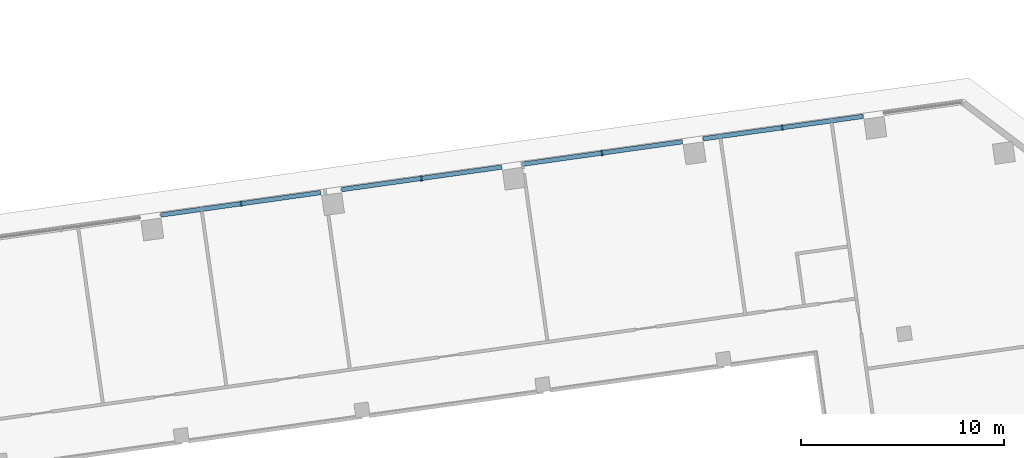
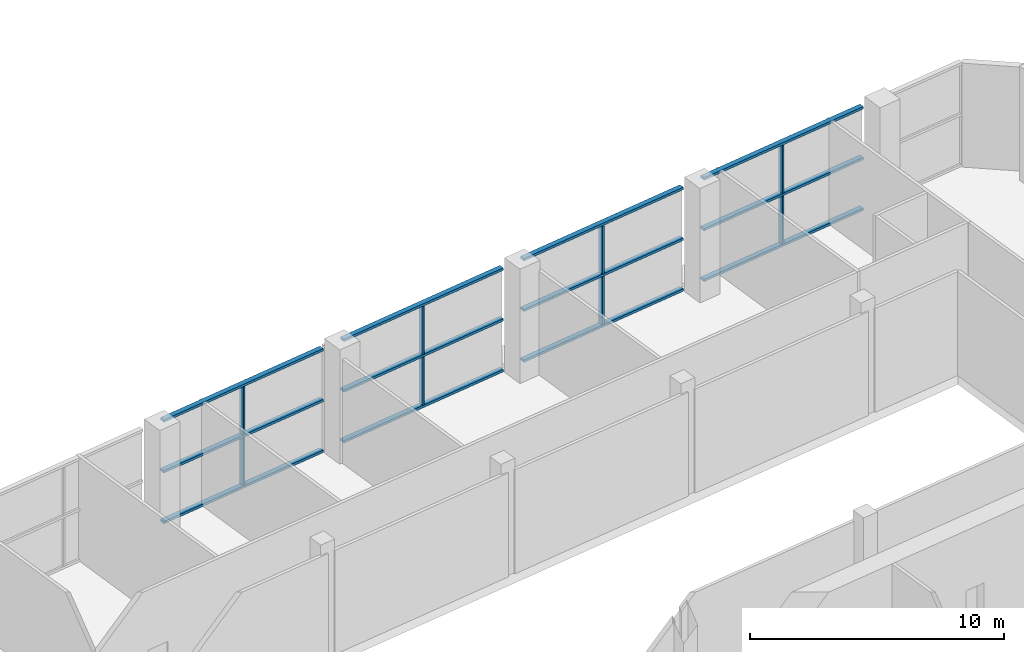
# One storey, part 6 of 23: 20 members, 1 element without a shape of its own.
"""IFC4 building model written with IfcOpenShell, lengths in metres."""

from ifc_helpers import new_model, si_unit, direction, frame, origin, origin_2d, place, context, subcontext, project, spatial, rectangle, extrude, material, material_profile, profile_set, type_object, element, aggregate, save


model = new_model("IFC4")

# Units and contexts
model_context = context("Model", 3, precision=1e-05, world=origin(), true_north=direction((0.0, 1.0)))
body_context = subcontext(model_context, "Body", "Model", "MODEL_VIEW")
ifc_project = project(units=[si_unit("LENGTHUNIT", "METRE"), si_unit("AREAUNIT", "SQUARE_METRE"), si_unit("VOLUMEUNIT", "CUBIC_METRE"), si_unit("PLANEANGLEUNIT", "RADIAN"), si_unit("MASSUNIT", "GRAM", prefix="KILO")], contexts=[model_context])

# Site, building, storey
site_placement = place(None, origin())
site = spatial("IfcSite", under=ifc_project, at=site_placement, CompositionType="ELEMENT")
building_placement = place(site_placement, origin())
building = spatial("IfcBuilding", under=site, at=building_placement, Name="Mirante Cascada Hotel Towers", CompositionType="ELEMENT")
storey_placement = place(building_placement, frame((0.0, 0.0, 23.5)))
storey = spatial("IfcBuildingStorey", under=building, at=storey_placement, Name="L03", CompositionType="ELEMENT", Elevation=23.5)

# Curtain wall, members
ifc_material_1 = material(Name="Aluminium mullion and transom frame with clear laminated glass", Category="aluminium")
curtain_wall_type = type_object("IfcCurtainWallType", Name="Podium curtain wall ECW3", PredefinedType="NOTDEFINED", material=ifc_material_1)
curtain_wall_placement = place(storey_placement, origin())
curtain_wall = element("IfcCurtainWall", 1, at=curtain_wall_placement, inside=storey, type_object=curtain_wall_type, Name="Front podium glazing T2 L03", PredefinedType="NOTDEFINED")
ifc_material_2 = material(Name="Anodised aluminium extrusion", Category="aluminium")
ifc_material_profile_1 = material_profile(ifc_material_2, rectangle(XDim=0.26, YDim=0.08, at=origin_2d()), Name="ECW3 MULLION 80x260")
ifc_profile_set_1 = profile_set([ifc_material_profile_1], Name="Anodised aluminium extrusion")
member_type_1 = type_object("IfcMemberType", Name="ECW3 mullion 80x260", PredefinedType="MULLION", material=ifc_profile_set_1)
member_1_placement = place(storey_placement, frame((85.2633, 24.802, 0.12), z_axis=(0.0, 0.0, 1.0), x_axis=(0.1391731, -0.9902681, 0.0)))
member_1 = element("IfcMember", 2, at=member_1_placement, type_object=member_type_1, Name="ECW3 mullion 3", PredefinedType="MULLION", context=body_context, shape_type="SweptSolid", body=[
    extrude(rectangle(XDim=0.26, YDim=0.08, at=origin_2d()), origin(), (0.0, 0.0, 1.0), 2.32),
])
member_2_placement = place(storey_placement, frame((85.2633, 24.802, 2.56), z_axis=(0.0, 0.0, 1.0), x_axis=(0.1391731, -0.9902681, 0.0)))
member_2 = element("IfcMember", 3, at=member_2_placement, type_object=member_type_1, Name="ECW3 mullion 3", PredefinedType="MULLION", context=body_context, shape_type="SweptSolid", body=[
    extrude(rectangle(XDim=0.26, YDim=0.08, at=origin_2d()), origin(), (0.0, 0.0, 1.0), 2.32),
])
member_3_placement = place(storey_placement, frame((76.3685, 23.5519, 0.12), z_axis=(0.0, 0.0, 1.0), x_axis=(0.1391731, -0.9902681, 0.0)))
member_3 = element("IfcMember", 4, at=member_3_placement, type_object=member_type_1, Name="ECW3 mullion 5", PredefinedType="MULLION", context=body_context, shape_type="SweptSolid", body=[
    extrude(rectangle(XDim=0.26, YDim=0.08, at=origin_2d()), origin(), (0.0, 0.0, 1.0), 2.32),
])
member_4_placement = place(storey_placement, frame((76.3685, 23.5519, 2.56), z_axis=(0.0, 0.0, 1.0), x_axis=(0.1391731, -0.9902681, 0.0)))
member_4 = element("IfcMember", 5, at=member_4_placement, type_object=member_type_1, Name="ECW3 mullion 5", PredefinedType="MULLION", context=body_context, shape_type="SweptSolid", body=[
    extrude(rectangle(XDim=0.26, YDim=0.08, at=origin_2d()), origin(), (0.0, 0.0, 1.0), 2.32),
])
member_5_placement = place(storey_placement, frame((67.4737, 22.3018, 0.12), z_axis=(0.0, 0.0, 1.0), x_axis=(0.1391731, -0.9902681, 0.0)))
member_5 = element("IfcMember", 6, at=member_5_placement, type_object=member_type_1, Name="ECW3 mullion 7", PredefinedType="MULLION", context=body_context, shape_type="SweptSolid", body=[
    extrude(rectangle(XDim=0.26, YDim=0.08, at=origin_2d()), origin(), (0.0, 0.0, 1.0), 2.32),
])
member_6_placement = place(storey_placement, frame((67.4737, 22.3018, 2.56), z_axis=(0.0, 0.0, 1.0), x_axis=(0.1391731, -0.9902681, 0.0)))
member_6 = element("IfcMember", 7, at=member_6_placement, type_object=member_type_1, Name="ECW3 mullion 7", PredefinedType="MULLION", context=body_context, shape_type="SweptSolid", body=[
    extrude(rectangle(XDim=0.26, YDim=0.08, at=origin_2d()), origin(), (0.0, 0.0, 1.0), 2.32),
])
member_7_placement = place(storey_placement, frame((58.5788, 21.0517, 0.12), z_axis=(0.0, 0.0, 1.0), x_axis=(0.1391731, -0.9902681, 0.0)))
member_7 = element("IfcMember", 8, at=member_7_placement, type_object=member_type_1, Name="ECW3 mullion 9", PredefinedType="MULLION", context=body_context, shape_type="SweptSolid", body=[
    extrude(rectangle(XDim=0.26, YDim=0.08, at=origin_2d()), origin(), (0.0, 0.0, 1.0), 2.32),
])
member_8_placement = place(storey_placement, frame((58.5788, 21.0517, 2.56), z_axis=(0.0, 0.0, 1.0), x_axis=(0.1391731, -0.9902681, 0.0)))
member_8 = element("IfcMember", 9, at=member_8_placement, type_object=member_type_1, Name="ECW3 mullion 9", PredefinedType="MULLION", context=body_context, shape_type="SweptSolid", body=[
    extrude(rectangle(XDim=0.26, YDim=0.08, at=origin_2d()), origin(), (0.0, 0.0, 1.0), 2.32),
])
ifc_material_3 = material(Name="Anodised aluminium extrusion", Category="aluminium")
ifc_material_profile_2 = material_profile(ifc_material_3, rectangle(XDim=0.22, YDim=0.12, at=origin_2d()), Name="ECW3 TRANSOM 120x220")
ifc_profile_set_2 = profile_set([ifc_material_profile_2], Name="Anodised aluminium extrusion")
member_type_2 = type_object("IfcMemberType", Name="ECW3 transom 120x220", PredefinedType="USERDEFINED", material=ifc_profile_set_2)
member_9_placement = place(storey_placement, frame((89.2485, 25.3621, 0.06), z_axis=(-0.9902683, -0.1391715, 0.0), x_axis=(0.1391715, -0.9902683, 0.0)))
member_9 = element("IfcMember", 10, at=member_9_placement, type_object=member_type_2, Name="ECW3 sill transom", ObjectType="TRANSOM", PredefinedType="USERDEFINED", context=body_context, shape_type="SweptSolid", body=[
    extrude(rectangle(XDim=0.22, YDim=0.12, at=origin_2d()), origin(), (0.0, 0.0, 1.0), 7.96),
])
member_10_placement = place(storey_placement, frame((80.3361, 24.1095, 0.06), z_axis=(-0.9902683, -0.1391715, 0.0), x_axis=(0.1391715, -0.9902683, 0.0)))
member_10 = element("IfcMember", 11, at=member_10_placement, type_object=member_type_2, Name="ECW3 sill transom", ObjectType="TRANSOM", PredefinedType="USERDEFINED", context=body_context, shape_type="SweptSolid", body=[
    extrude(rectangle(XDim=0.22, YDim=0.12, at=origin_2d()), origin(), (0.0, 0.0, 1.0), 7.96),
])
member_11_placement = place(storey_placement, frame((71.4237, 22.857, 0.06), z_axis=(-0.9902683, -0.1391715, 0.0), x_axis=(0.1391715, -0.9902683, 0.0)))
member_11 = element("IfcMember", 12, at=member_11_placement, type_object=member_type_2, Name="ECW3 sill transom", ObjectType="TRANSOM", PredefinedType="USERDEFINED", context=body_context, shape_type="SweptSolid", body=[
    extrude(rectangle(XDim=0.22, YDim=0.12, at=origin_2d()), origin(), (0.0, 0.0, 1.0), 7.96),
])
member_12_placement = place(storey_placement, frame((62.5113, 21.6044, 0.06), z_axis=(-0.9902683, -0.1391715, 0.0), x_axis=(0.1391715, -0.9902683, 0.0)))
member_12 = element("IfcMember", 13, at=member_12_placement, type_object=member_type_2, Name="ECW3 sill transom", ObjectType="TRANSOM", PredefinedType="USERDEFINED", context=body_context, shape_type="SweptSolid", body=[
    extrude(rectangle(XDim=0.22, YDim=0.12, at=origin_2d()), origin(), (0.0, 0.0, 1.0), 7.96),
])
member_13_placement = place(storey_placement, frame((89.2485, 25.3621, 2.5), z_axis=(-0.9902683, -0.1391715, 0.0), x_axis=(0.1391715, -0.9902683, 0.0)))
member_13 = element("IfcMember", 14, at=member_13_placement, type_object=member_type_2, Name="ECW3 intermediate transom", ObjectType="TRANSOM", PredefinedType="USERDEFINED", context=body_context, shape_type="SweptSolid", body=[
    extrude(rectangle(XDim=0.22, YDim=0.12, at=origin_2d()), origin(), (0.0, 0.0, 1.0), 7.96),
])
member_14_placement = place(storey_placement, frame((80.3361, 24.1095, 2.5), z_axis=(-0.9902683, -0.1391715, 0.0), x_axis=(0.1391715, -0.9902683, 0.0)))
member_14 = element("IfcMember", 15, at=member_14_placement, type_object=member_type_2, Name="ECW3 intermediate transom", ObjectType="TRANSOM", PredefinedType="USERDEFINED", context=body_context, shape_type="SweptSolid", body=[
    extrude(rectangle(XDim=0.22, YDim=0.12, at=origin_2d()), origin(), (0.0, 0.0, 1.0), 7.96),
])
member_15_placement = place(storey_placement, frame((71.4237, 22.857, 2.5), z_axis=(-0.9902683, -0.1391715, 0.0), x_axis=(0.1391715, -0.9902683, 0.0)))
member_15 = element("IfcMember", 16, at=member_15_placement, type_object=member_type_2, Name="ECW3 intermediate transom", ObjectType="TRANSOM", PredefinedType="USERDEFINED", context=body_context, shape_type="SweptSolid", body=[
    extrude(rectangle(XDim=0.22, YDim=0.12, at=origin_2d()), origin(), (0.0, 0.0, 1.0), 7.96),
])
member_16_placement = place(storey_placement, frame((62.5113, 21.6044, 2.5), z_axis=(-0.9902683, -0.1391715, 0.0), x_axis=(0.1391715, -0.9902683, 0.0)))
member_16 = element("IfcMember", 17, at=member_16_placement, type_object=member_type_2, Name="ECW3 intermediate transom", ObjectType="TRANSOM", PredefinedType="USERDEFINED", context=body_context, shape_type="SweptSolid", body=[
    extrude(rectangle(XDim=0.22, YDim=0.12, at=origin_2d()), origin(), (0.0, 0.0, 1.0), 7.96),
])
member_17_placement = place(storey_placement, frame((89.2485, 25.3621, 4.94), z_axis=(-0.9902683, -0.1391715, 0.0), x_axis=(0.1391715, -0.9902683, 0.0)))
member_17 = element("IfcMember", 18, at=member_17_placement, type_object=member_type_2, Name="ECW3 head transom", ObjectType="TRANSOM", PredefinedType="USERDEFINED", context=body_context, shape_type="SweptSolid", body=[
    extrude(rectangle(XDim=0.22, YDim=0.12, at=origin_2d()), origin(), (0.0, 0.0, 1.0), 7.96),
])
member_18_placement = place(storey_placement, frame((80.3361, 24.1095, 4.94), z_axis=(-0.9902683, -0.1391715, 0.0), x_axis=(0.1391715, -0.9902683, 0.0)))
member_18 = element("IfcMember", 19, at=member_18_placement, type_object=member_type_2, Name="ECW3 head transom", ObjectType="TRANSOM", PredefinedType="USERDEFINED", context=body_context, shape_type="SweptSolid", body=[
    extrude(rectangle(XDim=0.22, YDim=0.12, at=origin_2d()), origin(), (0.0, 0.0, 1.0), 7.96),
])
member_19_placement = place(storey_placement, frame((71.4237, 22.857, 4.94), z_axis=(-0.9902683, -0.1391715, 0.0), x_axis=(0.1391715, -0.9902683, 0.0)))
member_19 = element("IfcMember", 20, at=member_19_placement, type_object=member_type_2, Name="ECW3 head transom", ObjectType="TRANSOM", PredefinedType="USERDEFINED", context=body_context, shape_type="SweptSolid", body=[
    extrude(rectangle(XDim=0.22, YDim=0.12, at=origin_2d()), origin(), (0.0, 0.0, 1.0), 7.96),
])
member_20_placement = place(storey_placement, frame((62.5113, 21.6044, 4.94), z_axis=(-0.9902683, -0.1391715, 0.0), x_axis=(0.1391715, -0.9902683, 0.0)))
member_20 = element("IfcMember", 21, at=member_20_placement, type_object=member_type_2, Name="ECW3 head transom", ObjectType="TRANSOM", PredefinedType="USERDEFINED", context=body_context, shape_type="SweptSolid", body=[
    extrude(rectangle(XDim=0.22, YDim=0.12, at=origin_2d()), origin(), (0.0, 0.0, 1.0), 7.96),
])
aggregate(curtain_wall, [member_9, member_10, member_11, member_12, member_13, member_14, member_15, member_16, member_17, member_18, member_19, member_20, member_1, member_2, member_3, member_4, member_5, member_6, member_7, member_8])

save(model, "model.ifc")
